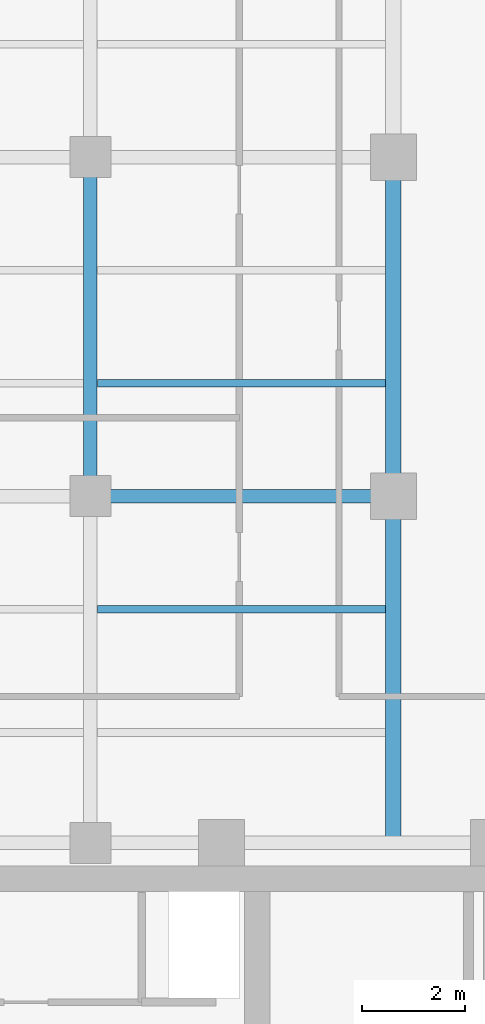
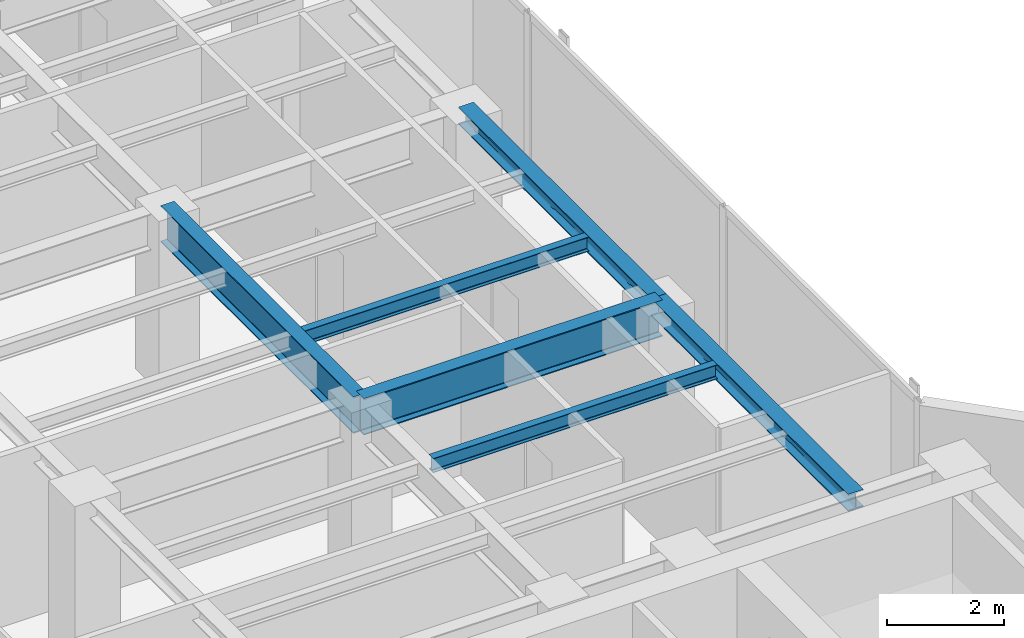
# One storey, part 9 of 22: 6 beams.
"""IFC4 building model written with IfcOpenShell, lengths in metres."""

from ifc_helpers import new_model, si_unit, direction, frame, origin, origin_2d, place, context, subcontext, project, spatial, i_section, extrude, material, material_profile, profile_set, type_object, element, save


model = new_model("IFC4")

# Units and contexts
model_context = context("Model", 3, precision=1e-05, world=origin(), true_north=direction((0.0, 1.0)))
body_context = subcontext(model_context, "Body", "Model", "MODEL_VIEW")
ifc_project = project(units=[si_unit("LENGTHUNIT", "METRE"), si_unit("AREAUNIT", "SQUARE_METRE"), si_unit("VOLUMEUNIT", "CUBIC_METRE"), si_unit("PLANEANGLEUNIT", "RADIAN"), si_unit("MASSUNIT", "GRAM", prefix="KILO")], contexts=[model_context])

# Site, building, storey
site_placement = place(None, origin())
site = spatial("IfcSite", under=ifc_project, at=site_placement, CompositionType="ELEMENT")
building_placement = place(site_placement, origin())
building = spatial("IfcBuilding", under=site, at=building_placement, Name="Kolvaren Waterfront Exchange", CompositionType="ELEMENT")
storey_placement = place(building_placement, frame((0.0, 0.0, 278.0)))
storey = spatial("IfcBuildingStorey", under=building, at=storey_placement, Name="L71", CompositionType="ELEMENT", Elevation=278.0)

# Beams
ifc_material = material(Name="Steel S355", Category="steel")
ifc_material_profile_1 = material_profile(ifc_material, i_section(OverallWidth=0.300048828125, OverallDepth=0.360107421875, WebThickness=0.012451171875, FlangeThickness=0.0224609375, FilletRadius=0.027099609375, at=origin_2d()), Name="HEB360")
ifc_profile_set_1 = profile_set([ifc_material_profile_1], Name="Steel S355")
beam_type_1 = type_object("IfcBeamType", Name="STR-BM-HEB360", PredefinedType="SPANDREL", material=ifc_profile_set_1)
beam_1_placement = place(storey_placement, frame((18.800048828125, 24.449951171875, 3.3798828125), z_axis=(0.0, 1.0, 0.0), x_axis=(-1.0, 0.0, 0.0)))
element("IfcBeam", 1, at=beam_1_placement, inside=storey, type_object=beam_type_1, Name="L71 north-arm edge beam 1", PredefinedType="SPANDREL", context=body_context, shape_type="SweptSolid", body=[
    extrude(i_section(OverallWidth=0.300048828125, OverallDepth=0.360107421875, WebThickness=0.012451171875, FlangeThickness=0.0224609375, FilletRadius=0.027099609375, at=origin_2d()), origin(), (0.0, 0.0, 1.0), 6.75),
])
beam_2_placement = place(storey_placement, frame((18.800048828125, 31.199951171875, 3.3798828125), z_axis=(0.0, 1.0, 0.0), x_axis=(-1.0, 0.0, 0.0)))
element("IfcBeam", 2, at=beam_2_placement, inside=storey, type_object=beam_type_1, Name="L71 north-arm edge beam 2", PredefinedType="SPANDREL", context=body_context, shape_type="SweptSolid", body=[
    extrude(i_section(OverallWidth=0.300048828125, OverallDepth=0.360107421875, WebThickness=0.012451171875, FlangeThickness=0.0224609375, FilletRadius=0.027099609375, at=origin_2d()), origin(), (0.0, 0.0, 1.0), 6.60009765625),
])
ifc_material_profile_2 = material_profile(ifc_material, i_section(OverallWidth=0.14990234375, OverallDepth=0.300048828125, WebThickness=0.007080078125, FlangeThickness=0.0107421875, FilletRadius=0.014892578125, at=origin_2d()), Name="IPE300")
ifc_profile_set_2 = profile_set([ifc_material_profile_2], Name="Steel S355")
beam_type_2 = type_object("IfcBeamType", Name="STR-BM-IPE300", PredefinedType="JOIST", material=ifc_profile_set_2)
for number, where, z_axis, x_axis, name in (
    (3, (13.035400390625, 29.0, 3.409912109375), (1.0, 0.0, 0.0), (0.0, 1.0, 0.0), "L71 north-arm composite joist 2B"),
    (4, (13.035400390625, 33.39990234375, 3.409912109375), (1.0, 0.0, 0.0), (0.0, 1.0, 0.0), "L71 north-arm composite joist 3B"),
):
    element("IfcBeam", number, at=place(storey_placement, frame(where, z_axis=z_axis, x_axis=x_axis)), inside=storey, type_object=beam_type_2, Name=name, PredefinedType="JOIST", context=body_context, shape_type="SweptSolid", body=[
        extrude(i_section(OverallWidth=0.14990234375, OverallDepth=0.300048828125, WebThickness=0.007080078125, FlangeThickness=0.0107421875, FilletRadius=0.014892578125, at=origin_2d()), origin(), (0.0, 0.0, 1.0), 5.612548828125),
    ])
ifc_material_profile_3 = material_profile(ifc_material, i_section(OverallWidth=0.26708984375, OverallDepth=0.761962890625, WebThickness=0.014404296875, FlangeThickness=0.021484375, FilletRadius=0.01708984375, at=origin_2d()), Name="IPE750x173")
ifc_profile_set_3 = profile_set([ifc_material_profile_3], Name="Steel S355")
beam_type_3 = type_object("IfcBeamType", Name="STR-BM-IPE750", PredefinedType="BEAM", material=ifc_profile_set_3)
beam_3_placement = place(storey_placement, frame((12.89990234375, 31.199951171875, 3.178955078125), z_axis=(1.0, 0.0, 0.0), x_axis=(0.0, 1.0, 0.0)))
element("IfcBeam", 5, at=beam_3_placement, inside=storey, type_object=beam_type_3, Name="L71 north-arm girder 2B", PredefinedType="BEAM", context=body_context, shape_type="SweptSolid", body=[
    extrude(i_section(OverallWidth=0.26708984375, OverallDepth=0.761962890625, WebThickness=0.014404296875, FlangeThickness=0.021484375, FilletRadius=0.01708984375, at=origin_2d()), origin(), (0.0, 0.0, 1.0), 5.900146484375),
])
beam_4_placement = place(storey_placement, frame((12.89990234375, 31.199951171875, 3.178955078125), z_axis=(0.0, 1.0, 0.0), x_axis=(-1.0, 0.0, 0.0)))
element("IfcBeam", 6, at=beam_4_placement, inside=storey, type_object=beam_type_3, Name="L71 north-arm edge beam 2", PredefinedType="BEAM", context=body_context, shape_type="SweptSolid", body=[
    extrude(i_section(OverallWidth=0.26708984375, OverallDepth=0.761962890625, WebThickness=0.014404296875, FlangeThickness=0.021484375, FilletRadius=0.01708984375, at=origin_2d()), origin(), (0.0, 0.0, 1.0), 6.60009765625),
])

save(model, "model.ifc")
